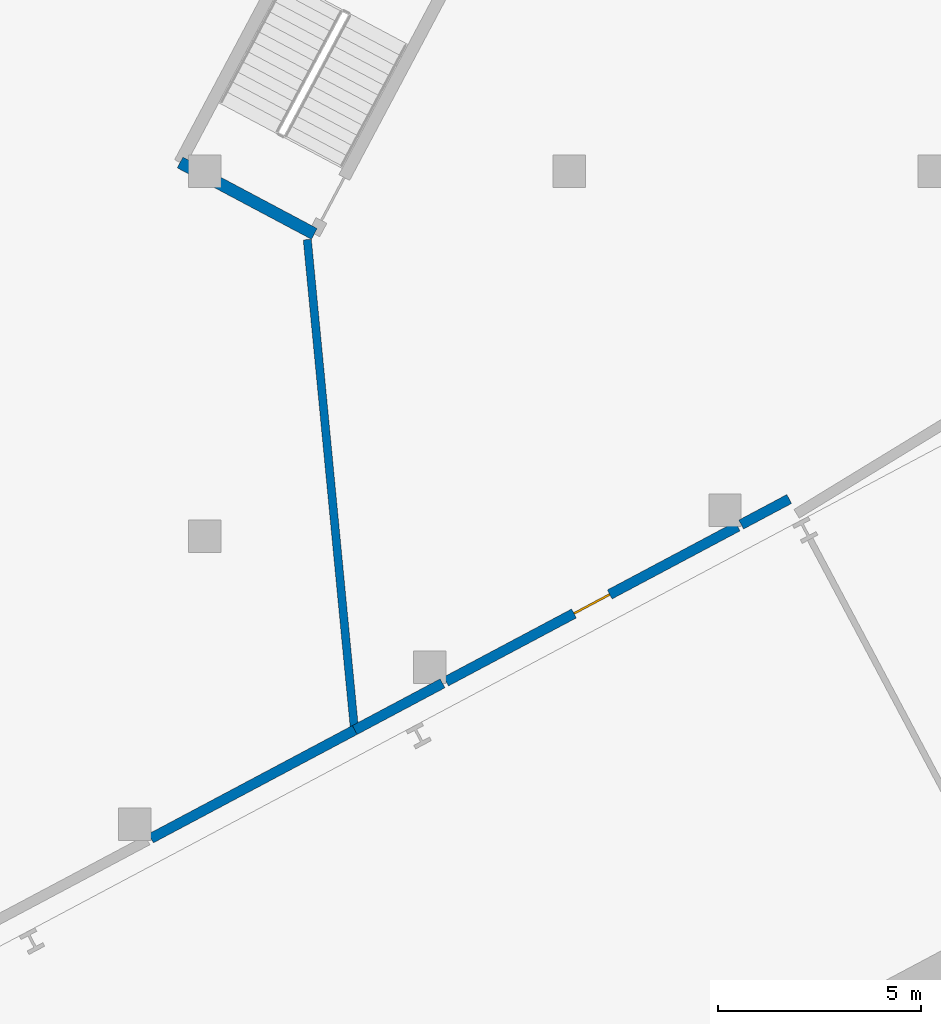
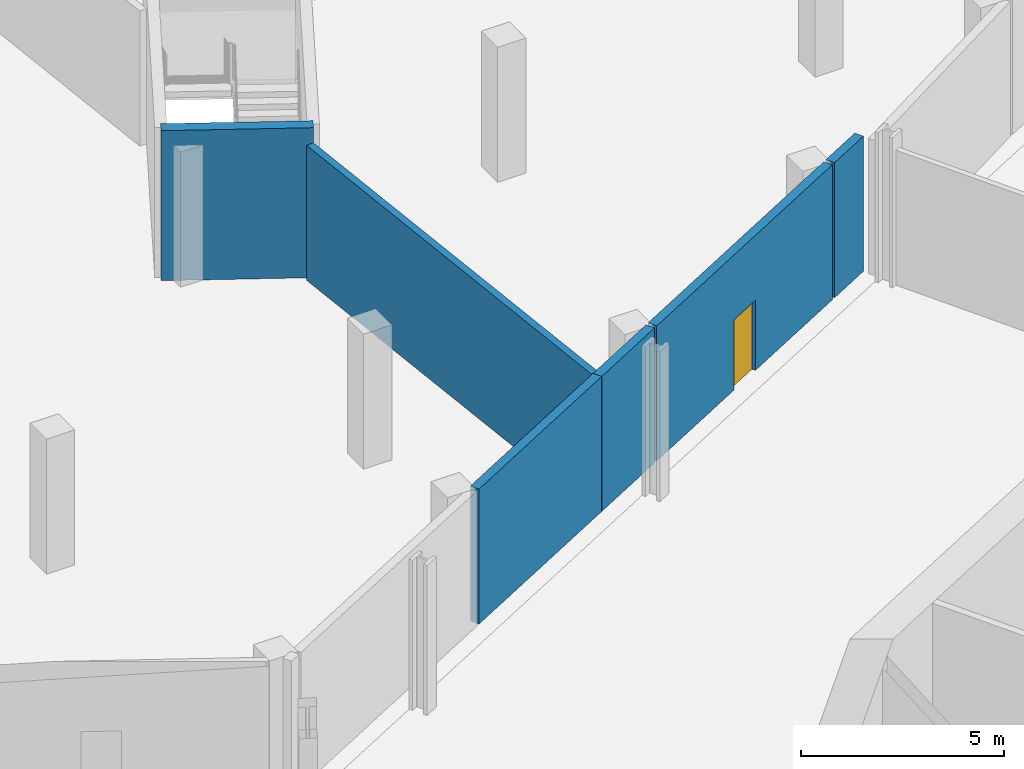
# One storey, part 16 of 27: 6 walls, 1 door, 1 opening.
"""IFC4 building model written with IfcOpenShell, lengths in metres."""

from ifc_helpers import new_model, si_unit, direction, frame, frame_2d, origin, place, context, subcontext, project, spatial, rectangle, extrude, material, layer, layer_set, type_object, element, fill, save


model = new_model("IFC4")

# Units and contexts
model_context = context("Model", 3, precision=1e-05, world=origin(), true_north=direction((0.0, 1.0)))
body_context = subcontext(model_context, "Body", "Model", "MODEL_VIEW")
ifc_project = project(units=[si_unit("LENGTHUNIT", "METRE"), si_unit("AREAUNIT", "SQUARE_METRE"), si_unit("VOLUMEUNIT", "CUBIC_METRE"), si_unit("PLANEANGLEUNIT", "RADIAN"), si_unit("MASSUNIT", "GRAM", prefix="KILO")], contexts=[model_context])

# Site, building, storey
site_placement = place(None, origin())
site = spatial("IfcSite", under=ifc_project, at=site_placement, CompositionType="ELEMENT")
building_placement = place(site_placement, origin())
building = spatial("IfcBuilding", under=site, at=building_placement, Name="Cormorant Relay Tower", CompositionType="ELEMENT")
storey_placement = place(building_placement, frame((0.0, 0.0, -4.5)))
storey = spatial("IfcBuildingStorey", under=building, at=storey_placement, Name="B1", CompositionType="ELEMENT", Elevation=-4.5)

# Wall
ifc_material_1 = material(Name="Concrete masonry 20 MPa", Category="masonry")
ifc_layer_1 = layer(ifc_material_1, 0.25)
ifc_layer_set_1 = layer_set([ifc_layer_1], Name="Fire separation wall 250")
wall_type_1 = type_object("IfcWallType", Name="Fire separation wall 250", PredefinedType="SOLIDWALL", material=ifc_layer_set_1)
wall_1_placement = place(storey_placement, frame((12.705810546875, 31.21923828125, 0.0), z_axis=(0.0, 0.0, 1.0), x_axis=(0.882909290673, 0.469543591633, 0.0)))
element("IfcWall", 1, at=wall_1_placement, inside=storey, type_object=wall_type_1, Name="Partition", PredefinedType="SOLIDWALL", context=body_context, shape_type="SweptSolid", body=[
    extrude(rectangle(XDim=2.451171875, YDim=0.25, at=frame_2d((1.2255859375, 0.0))), origin(), (0.0, 0.0, 1.0), 4.050048828125),
])

# Wall, opening, door
wall_2_placement = place(storey_placement, frame((14.95703125, 32.416259765625, 0.0), z_axis=(0.0, 0.0, 1.0), x_axis=(0.882948003129, 0.46947079118, 0.0)))
wall_2 = element("IfcWall", 2, at=wall_2_placement, inside=storey, type_object=wall_type_1, Name="Partition", PredefinedType="SOLIDWALL", context=body_context, shape_type="SweptSolid", body=[
    extrude(rectangle(XDim=8.144775390625, YDim=0.25, at=frame_2d((4.072265625, 0.0))), origin(), (0.0, 0.0, 1.0), 4.050048828125),
])
opening_placement = place(wall_2_placement, frame((3.572021484375, 0.0, 0.0)))
opening = element("IfcOpeningElement", 3, at=opening_placement, cuts=wall_2, Name="Opening PD1-037", PredefinedType="OPENING", context=body_context, shape_type="SweptSolid", body=[
    extrude(rectangle(XDim=1.0, YDim=2.10009765625, at=frame_2d((0.5, 1.050048828125))), frame((0.0, 0.135009765625, 0.0), z_axis=(0.0, -1.0, 0.0), x_axis=(1.0, 0.0, 0.0)), (0.0, 0.0, 1.0), 0.27001953125),
])
ifc_material_2 = material(Name="Steel door leaf", Category="steel")
door_type = type_object("IfcDoorType", Name="Door single 1000", OperationType="SINGLE_SWING_LEFT", PredefinedType="DOOR", material=ifc_material_2)
door_placement = place(opening_placement, origin())
door = element("IfcDoor", 4, at=door_placement, inside=storey, type_object=door_type, Name="Door", OperationType="SINGLE_SWING_LEFT", OverallHeight=2.10009765625, OverallWidth=1.0, PredefinedType="DOOR", context=body_context, shape_type="SweptSolid", body=[
    extrude(rectangle(XDim=1.0, YDim=2.10009765625, at=frame_2d((0.5, 1.050048828125))), frame((0.0, 0.02490234375, 0.0), z_axis=(0.0, -1.0, 0.0), x_axis=(1.0, 0.0, 0.0)), (0.0, 0.0, 1.0), 0.050048828125),
])
fill(opening, door)

# Walls
wall_3_placement = place(storey_placement, frame((22.236083984375, 36.28662109375, 0.0), z_axis=(0.0, 0.0, 1.0), x_axis=(0.882931801402, 0.469501260993, 0.0)))
element("IfcWall", 5, at=wall_3_placement, inside=storey, type_object=wall_type_1, Name="Partition", PredefinedType="SOLIDWALL", context=body_context, shape_type="SweptSolid", body=[
    extrude(rectangle(XDim=1.341064453125, YDim=0.25, at=frame_2d((0.67041015625, 0.0))), origin(), (0.0, 0.0, 1.0), 4.050048828125),
])
wall_4_placement = place(storey_placement, frame((7.678955078125, 28.54638671875, 0.0), z_axis=(0.0, 0.0, 1.0), x_axis=(0.882942382041, 0.469481362779, 0.0)))
element("IfcWall", 6, at=wall_4_placement, inside=storey, type_object=wall_type_1, Name="Partition", PredefinedType="SOLIDWALL", context=body_context, shape_type="SweptSolid", body=[
    extrude(rectangle(XDim=5.691650390625, YDim=0.25, at=frame_2d((2.845703125, 0.0))), origin(), (0.0, 0.0, 1.0), 4.050048828125),
])
ifc_material_3 = material(Name="Concrete masonry 20 MPa", Category="masonry")
ifc_layer_2 = layer(ifc_material_3, 0.199951171875)
ifc_layer_set_2 = layer_set([ifc_layer_2], Name="Plant room wall 200")
wall_type_2 = type_object("IfcWallType", Name="Plant room wall 200", PredefinedType="PARTITIONING", material=ifc_layer_set_2)
wall_5_placement = place(storey_placement, frame((11.534423828125, 43.31494140625, 0.0), z_axis=(0.0, 0.0, 1.0), x_axis=(0.095933245663, -0.995387769855, 0.0)))
element("IfcWall", 7, at=wall_5_placement, inside=storey, type_object=wall_type_2, Name="Partition", PredefinedType="PARTITIONING", context=body_context, shape_type="SweptSolid", body=[
    extrude(rectangle(XDim=12.154541015625, YDim=0.199951171875, at=frame_2d((6.0771484375, 0.0))), origin(), (0.0, 0.0, 1.0), 4.050048828125),
])
ifc_material_4 = material(Name="Concrete 50 MPa", Category="concrete")
ifc_layer_3 = layer(ifc_material_4, 0.300048828125)
ifc_layer_set_3 = layer_set([ifc_layer_3], Name="Remote stair wall 300")
wall_type_3 = type_object("IfcWallType", Name="Remote stair wall 300", PredefinedType="SHEAR", material=ifc_layer_set_3)
wall_6_placement = place(storey_placement, frame((11.707275390625, 43.45556640625, 0.0), z_axis=(0.0, 0.0, 1.0), x_axis=(-0.882948761726, 0.46946936446, 0.0)))
element("IfcWall", 8, at=wall_6_placement, inside=storey, type_object=wall_type_3, Name="B1 exit stair RN1 wall", PredefinedType="SHEAR", context=body_context, shape_type="SweptSolid", body=[
    extrude(rectangle(XDim=3.75, YDim=0.300048828125, at=frame_2d((1.875, 0.0))), origin(), (0.0, 0.0, 1.0), 4.5),
])

save(model, "model.ifc")
